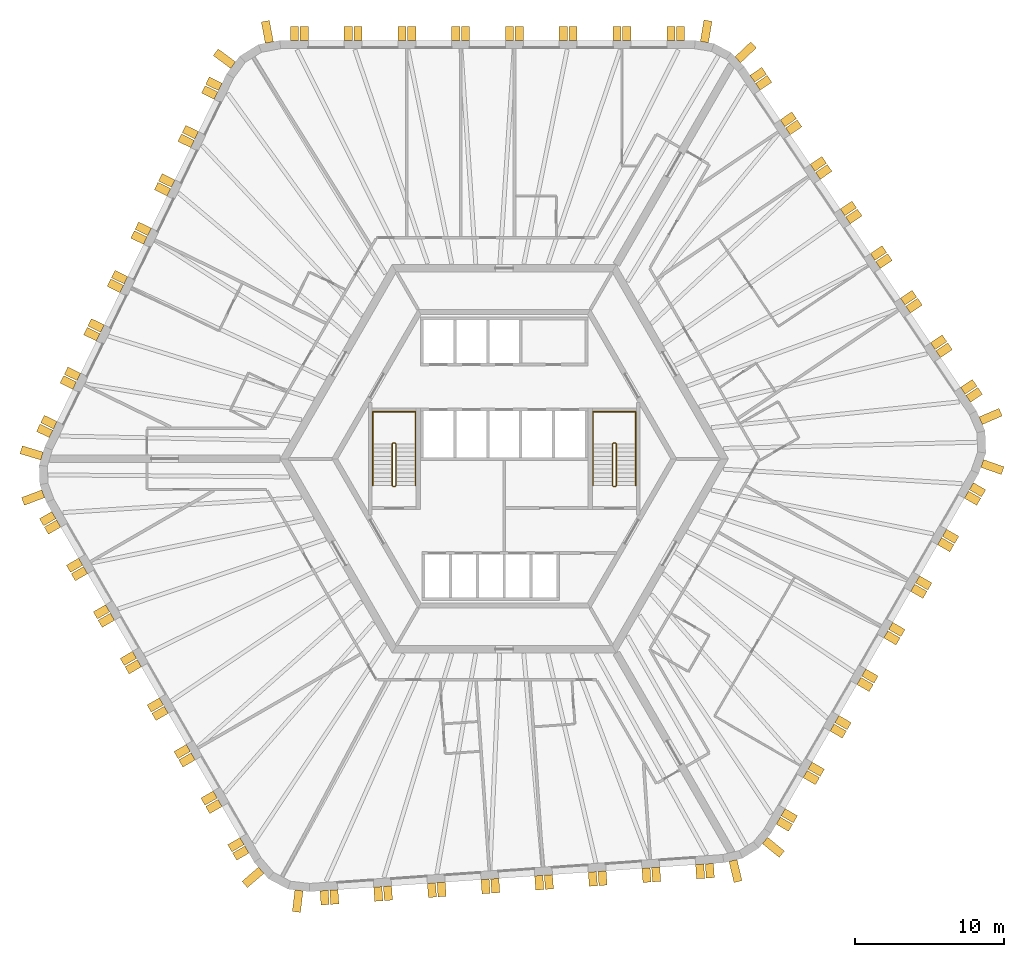
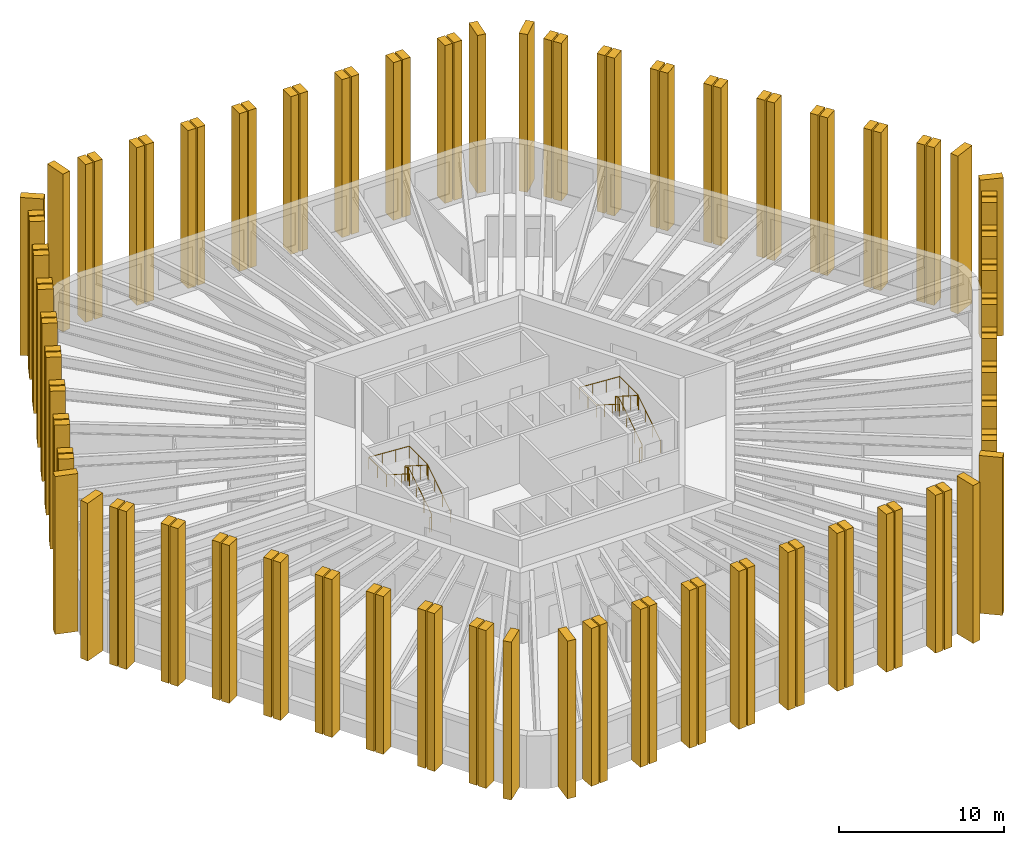
# One storey, part 9 of 9: 108 shading devices, 4 railings.
"""IFC4 building model written with IfcOpenShell, lengths in metres."""

from ifc_helpers import new_model, si_unit, direction, frame, origin, origin_2d, place, context, subcontext, project, spatial, polyline, circle, outline, extrude, material, layer, layer_set, type_object, element, save


model = new_model("IFC4")

# Units and contexts
model_context = context("Model", 3, precision=1e-05, world=origin(), true_north=direction((0.0, 1.0)))
body_context = subcontext(model_context, "Body", "Model", "MODEL_VIEW")
ifc_project = project(units=[si_unit("LENGTHUNIT", "METRE"), si_unit("AREAUNIT", "SQUARE_METRE"), si_unit("VOLUMEUNIT", "CUBIC_METRE"), si_unit("PLANEANGLEUNIT", "RADIAN"), si_unit("MASSUNIT", "GRAM", prefix="KILO")], contexts=[model_context])

# Site, building, storey
site_placement = place(None, origin())
site = spatial("IfcSite", under=ifc_project, at=site_placement, CompositionType="ELEMENT")
building_placement = place(site_placement, origin())
building = spatial("IfcBuilding", under=site, at=building_placement, Name="Tarnside Tower", CompositionType="ELEMENT")
storey_placement = place(building_placement, frame((0.0, 0.0, 215.10009765625)))
storey = spatial("IfcBuildingStorey", under=building, at=storey_placement, Name="L51", CompositionType="ELEMENT", Elevation=215.10009765625)

# Shading devices
ifc_material_1 = material(Name="Concrete C50/60 white precast", Category="concrete")
ifc_layer_1 = layer(ifc_material_1, 0.550048828125)
ifc_layer_set_1 = layer_set([ifc_layer_1], Name="Precast fin 550 x 1450")
shading_device_type_1 = type_object("IfcShadingDeviceType", Name="Precast fin 550 x 1450", PredefinedType="USERDEFINED", material=ifc_layer_set_1)
for number, where, z_axis, x_axis, name in (
    (1, (-15.725341796875, 27.86767578125, -0.150146484375), (0.982720646705, 0.18509492305, 0.0), (-0.18509492305, 0.982720646705, 0.0), "Precast fin"),
    (2, (-18.15380859375, 26.35009765625, -0.150146484375), (0.597158591707, 0.802123192752, 0.0), (-0.802123192752, 0.597158591707, 0.0), "Precast fin"),
    (3, (-30.949951171875, 0.184326171875, -0.150146484375), (0.286803232717, 0.957989512314, 0.0), (-0.957989512314, 0.286803232717, 0.0), "Precast fin"),
    (4, (-30.861572265625, -2.343017578125, -0.150146484375), (-0.352930564719, 0.935649515837, 0.0), (-0.935649515837, -0.352930564719, 0.0), "Precast fin"),
    (5, (-16.271484375, -27.55224609375, -0.150146484375), (-0.651657228826, 0.758513583345, 0.0), (-0.758513583345, -0.651657228826, 0.0), "Precast fin"),
    (6, (-13.7431640625, -28.896728515625, -0.150146484375), (-0.993238357741, 0.116092914131, 0.0), (-0.116092914131, -0.993238357741, 0.0), "Precast fin"),
    (7, (15.315185546875, -26.8955078125, -0.150146484375), (-0.973044870581, -0.230615870737, 0.0), (0.230615870737, -0.973044870581, 0.0), "Precast fin"),
    (8, (17.4599609375, -25.555419921875, -0.150146484375), (-0.633830967394, -0.773471592738, 0.0), (0.773471592738, -0.633830967394, 0.0), "Precast fin"),
    (9, (31.996826171875, -0.315185546875, -0.150146484375), (-0.331063417879, -0.943608506396, 0.0), (0.943608506396, -0.331063417879, 0.0), "Precast fin"),
    (10, (31.896728515625, 2.54638671875, -0.150146484375), (0.396079766034, -0.918216106883, 0.0), (0.918216106883, 0.396079766034, 0.0), "Precast fin"),
    (11, (15.634765625, 26.711181640625, -0.150146484375), (0.686241637865, -0.727373641577, 0.0), (0.727373641577, 0.686241637865, 0.0), "Precast fin"),
    (12, (13.40185546875, 27.8984375, -0.150146484375), (0.986761532114, -0.1621779231, 0.0), (0.1621779231, 0.986761532114, 0.0), "Precast fin"),
):
    element("IfcShadingDevice", number, at=place(storey_placement, frame(where, z_axis=z_axis, x_axis=x_axis)), inside=storey, type_object=shading_device_type_1, Name=name, ObjectType="FIN", PredefinedType="USERDEFINED", context=body_context, shape_type="SweptSolid", body=[
        extrude(outline(polyline([(0.0, 0.0), (1.449951171875, 0.0), (1.449951171875, 11.699951171875), (0.0, 11.699951171875), (0.0, 0.0)])), frame((0.0, 0.0, -0.27490234375)), (0.0, 0.0, 1.0), 0.550048828125),
    ])
ifc_layer_2 = layer(ifc_material_1, 0.550048828125)
ifc_layer_set_2 = layer_set([ifc_layer_2], Name="Precast fin 550 x 950")
shading_device_type_2 = type_object("IfcShadingDeviceType", Name="Precast fin 550 x 950", PredefinedType="USERDEFINED", material=ifc_layer_set_2)
for number, where, z_axis, x_axis, name in (
    (13, (11.80712890625, 28.0, -0.150146484375), (1.0, 0.0, 0.0), (0.0, 1.0, 0.0), "Precast fin"),
    (14, (11.1572265625, 28.0, -0.150146484375), (1.0, 0.0, 0.0), (0.0, 1.0, 0.0), "Precast fin"),
    (15, (8.20703125, 28.0, -0.150146484375), (1.0, 0.0, 0.0), (0.0, 1.0, 0.0), "Precast fin"),
    (16, (7.55712890625, 28.0, -0.150146484375), (1.0, 0.0, 0.0), (0.0, 1.0, 0.0), "Precast fin"),
    (17, (4.607177734375, 28.0, -0.150146484375), (1.0, 0.0, 0.0), (0.0, 1.0, 0.0), "Precast fin"),
    (18, (3.95703125, 28.0, -0.150146484375), (1.0, 0.0, 0.0), (0.0, 1.0, 0.0), "Precast fin"),
    (19, (1.007080078125, 28.0, -0.150146484375), (1.0, 0.0, 0.0), (0.0, 1.0, 0.0), "Precast fin"),
    (20, (0.357177734375, 28.0, -0.150146484375), (1.0, 0.0, 0.0), (0.0, 1.0, 0.0), "Precast fin"),
    (21, (-2.5927734375, 28.0, -0.150146484375), (1.0, 0.0, 0.0), (0.0, 1.0, 0.0), "Precast fin"),
    (22, (-3.242919921875, 28.0, -0.150146484375), (1.0, 0.0, 0.0), (0.0, 1.0, 0.0), "Precast fin"),
    (23, (-6.19287109375, 28.0, -0.150146484375), (1.0, 0.0, 0.0), (0.0, 1.0, 0.0), "Precast fin"),
    (24, (-6.8427734375, 28.0, -0.150146484375), (1.0, 0.0, 0.0), (0.0, 1.0, 0.0), "Precast fin"),
    (25, (-9.79296875, 28.0, -0.150146484375), (1.0, 0.0, 0.0), (0.0, 1.0, 0.0), "Precast fin"),
    (26, (-10.44287109375, 28.0, -0.150146484375), (1.0, 0.0, 0.0), (0.0, 1.0, 0.0), "Precast fin"),
    (27, (-13.392822265625, 28.0, -0.150146484375), (1.0, 0.0, 0.0), (0.0, 1.0, 0.0), "Precast fin"),
    (28, (-14.04296875, 28.0, -0.150146484375), (1.0, 0.0, 0.0), (0.0, 1.0, 0.0), "Precast fin"),
    (29, (-19.01025390625, 24.896240234375, -0.150146484375), (0.438371146789, 0.898794046299, 0.0), (-0.898794046299, 0.438371146789, 0.0), "Precast fin"),
    (30, (-19.295166015625, 24.31201171875, -0.150146484375), (0.438371146789, 0.898794046299, 0.0), (-0.898794046299, 0.438371146789, 0.0), "Precast fin"),
    (31, (-20.58837890625, 21.660400390625, -0.150146484375), (0.438371146789, 0.898794046299, 0.0), (-0.898794046299, 0.438371146789, 0.0), "Precast fin"),
    (32, (-20.873291015625, 21.076171875, -0.150146484375), (0.438371146789, 0.898794046299, 0.0), (-0.898794046299, 0.438371146789, 0.0), "Precast fin"),
    (33, (-22.16650390625, 18.4248046875, -0.150146484375), (0.438371146789, 0.898794046299, 0.0), (-0.898794046299, 0.438371146789, 0.0), "Precast fin"),
    (34, (-22.451416015625, 17.840576171875, -0.150146484375), (0.438371146789, 0.898794046299, 0.0), (-0.898794046299, 0.438371146789, 0.0), "Precast fin"),
    (35, (-23.74462890625, 15.189208984375, -0.150146484375), (0.438371146789, 0.898794046299, 0.0), (-0.898794046299, 0.438371146789, 0.0), "Precast fin"),
    (36, (-24.029541015625, 14.60498046875, -0.150146484375), (0.438371146789, 0.898794046299, 0.0), (-0.898794046299, 0.438371146789, 0.0), "Precast fin"),
    (37, (-25.32275390625, 11.953369140625, -0.150146484375), (0.438371146789, 0.898794046299, 0.0), (-0.898794046299, 0.438371146789, 0.0), "Precast fin"),
    (38, (-25.607666015625, 11.369384765625, -0.150146484375), (0.438371146789, 0.898794046299, 0.0), (-0.898794046299, 0.438371146789, 0.0), "Precast fin"),
    (39, (-26.90087890625, 8.7177734375, -0.150146484375), (0.438371146789, 0.898794046299, 0.0), (-0.898794046299, 0.438371146789, 0.0), "Precast fin"),
    (40, (-27.185791015625, 8.133544921875, -0.150146484375), (0.438371146789, 0.898794046299, 0.0), (-0.898794046299, 0.438371146789, 0.0), "Precast fin"),
    (41, (-28.47900390625, 5.482177734375, -0.150146484375), (0.438371146789, 0.898794046299, 0.0), (-0.898794046299, 0.438371146789, 0.0), "Precast fin"),
    (42, (-28.763916015625, 4.89794921875, -0.150146484375), (0.438371146789, 0.898794046299, 0.0), (-0.898794046299, 0.438371146789, 0.0), "Precast fin"),
    (43, (-30.05712890625, 2.24658203125, -0.150146484375), (0.438371146789, 0.898794046299, 0.0), (-0.898794046299, 0.438371146789, 0.0), "Precast fin"),
    (44, (-30.342041015625, 1.662353515625, -0.150146484375), (0.438371146789, 0.898794046299, 0.0), (-0.898794046299, 0.438371146789, 0.0), "Precast fin"),
    (45, (-30.15234375, -3.774658203125, -0.150146484375), (-0.5, 0.866025403784, 0.0), (-0.866025403784, -0.5, 0.0), "Precast fin"),
    (46, (-29.827392578125, -4.337646484375, -0.150146484375), (-0.5, 0.866025403784, 0.0), (-0.866025403784, -0.5, 0.0), "Precast fin"),
    (47, (-28.352294921875, -6.892333984375, -0.150146484375), (-0.5, 0.866025403784, 0.0), (-0.866025403784, -0.5, 0.0), "Precast fin"),
    (48, (-28.02734375, -7.455322265625, -0.150146484375), (-0.5, 0.866025403784, 0.0), (-0.866025403784, -0.5, 0.0), "Precast fin"),
    (49, (-26.55224609375, -10.010009765625, -0.150146484375), (-0.5, 0.866025403784, 0.0), (-0.866025403784, -0.5, 0.0), "Precast fin"),
    (50, (-26.227294921875, -10.572998046875, -0.150146484375), (-0.5, 0.866025403784, 0.0), (-0.866025403784, -0.5, 0.0), "Precast fin"),
    (51, (-24.752197265625, -13.127685546875, -0.150146484375), (-0.5, 0.866025403784, 0.0), (-0.866025403784, -0.5, 0.0), "Precast fin"),
    (52, (-24.42724609375, -13.690673828125, -0.150146484375), (-0.5, 0.866025403784, 0.0), (-0.866025403784, -0.5, 0.0), "Precast fin"),
    (53, (-22.952392578125, -16.24560546875, -0.150146484375), (-0.5, 0.866025403784, 0.0), (-0.866025403784, -0.5, 0.0), "Precast fin"),
    (54, (-22.627197265625, -16.808349609375, -0.150146484375), (-0.5, 0.866025403784, 0.0), (-0.866025403784, -0.5, 0.0), "Precast fin"),
    (55, (-21.15234375, -19.36328125, -0.150146484375), (-0.5, 0.866025403784, 0.0), (-0.866025403784, -0.5, 0.0), "Precast fin"),
    (56, (-20.827392578125, -19.926025390625, -0.150146484375), (-0.5, 0.866025403784, 0.0), (-0.866025403784, -0.5, 0.0), "Precast fin"),
    (57, (-19.352294921875, -22.48095703125, -0.150146484375), (-0.5, 0.866025403784, 0.0), (-0.866025403784, -0.5, 0.0), "Precast fin"),
    (58, (-19.02734375, -23.043701171875, -0.150146484375), (-0.5, 0.866025403784, 0.0), (-0.866025403784, -0.5, 0.0), "Precast fin"),
    (59, (-17.55224609375, -25.5986328125, -0.150146484375), (-0.5, 0.866025403784, 0.0), (-0.866025403784, -0.5, 0.0), "Precast fin"),
    (60, (-17.227294921875, -26.161376953125, -0.150146484375), (-0.5, 0.866025403784, 0.0), (-0.866025403784, -0.5, 0.0), "Precast fin"),
    (61, (-12.0556640625, -28.911376953125, -0.150146484375), (-0.99756405026, -0.069756473744, 0.0), (0.069756473744, -0.99756405026, 0.0), "Precast fin"),
    (62, (-11.4072265625, -28.865966796875, -0.150146484375), (-0.99756405026, -0.069756473744, 0.0), (0.069756473744, -0.99756405026, 0.0), "Precast fin"),
    (63, (-8.46435546875, -28.66015625, -0.150146484375), (-0.99756405026, -0.069756473744, 0.0), (0.069756473744, -0.99756405026, 0.0), "Precast fin"),
    (64, (-7.81591796875, -28.614990234375, -0.150146484375), (-0.99756405026, -0.069756473744, 0.0), (0.069756473744, -0.99756405026, 0.0), "Precast fin"),
    (65, (-4.873046875, -28.4091796875, -0.150146484375), (-0.99756405026, -0.069756473744, 0.0), (0.069756473744, -0.99756405026, 0.0), "Precast fin"),
    (66, (-4.224609375, -28.36376953125, -0.150146484375), (-0.99756405026, -0.069756473744, 0.0), (0.069756473744, -0.99756405026, 0.0), "Precast fin"),
    (67, (-1.281982421875, -28.157958984375, -0.150146484375), (-0.99756405026, -0.069756473744, 0.0), (0.069756473744, -0.99756405026, 0.0), "Precast fin"),
    (68, (-0.633544921875, -28.112548828125, -0.150146484375), (-0.99756405026, -0.069756473744, 0.0), (0.069756473744, -0.99756405026, 0.0), "Precast fin"),
    (69, (2.309326171875, -27.906982421875, -0.150146484375), (-0.99756405026, -0.069756473744, 0.0), (0.069756473744, -0.99756405026, 0.0), "Precast fin"),
    (70, (2.957763671875, -27.861572265625, -0.150146484375), (-0.99756405026, -0.069756473744, 0.0), (0.069756473744, -0.99756405026, 0.0), "Precast fin"),
    (71, (5.900634765625, -27.65576171875, -0.150146484375), (-0.99756405026, -0.069756473744, 0.0), (0.069756473744, -0.99756405026, 0.0), "Precast fin"),
    (72, (6.549072265625, -27.6103515625, -0.150146484375), (-0.99756405026, -0.069756473744, 0.0), (0.069756473744, -0.99756405026, 0.0), "Precast fin"),
    (73, (9.49169921875, -27.404541015625, -0.150146484375), (-0.99756405026, -0.069756473744, 0.0), (0.069756473744, -0.99756405026, 0.0), "Precast fin"),
    (74, (10.14013671875, -27.359375, -0.150146484375), (-0.99756405026, -0.069756473744, 0.0), (0.069756473744, -0.99756405026, 0.0), "Precast fin"),
    (75, (13.0830078125, -27.153564453125, -0.150146484375), (-0.99756405026, -0.069756473744, 0.0), (0.069756473744, -0.99756405026, 0.0), "Precast fin"),
    (76, (13.7314453125, -27.108154296875, -0.150146484375), (-0.99756405026, -0.069756473744, 0.0), (0.069756473744, -0.99756405026, 0.0), "Precast fin"),
    (77, (18.34521484375, -24.225341796875, -0.150146484375), (-0.5, -0.866025403784, 0.0), (0.866025403784, -0.5, 0.0), "Precast fin"),
    (78, (18.670166015625, -23.662353515625, -0.150146484375), (-0.5, -0.866025403784, 0.0), (0.866025403784, -0.5, 0.0), "Precast fin"),
    (79, (20.145263671875, -21.107666015625, -0.150146484375), (-0.5, -0.866025403784, 0.0), (0.866025403784, -0.5, 0.0), "Precast fin"),
    (80, (20.47021484375, -20.544677734375, -0.150146484375), (-0.5, -0.866025403784, 0.0), (0.866025403784, -0.5, 0.0), "Precast fin"),
    (81, (21.945068359375, -17.989990234375, -0.150146484375), (-0.5, -0.866025403784, 0.0), (0.866025403784, -0.5, 0.0), "Precast fin"),
    (82, (22.270263671875, -17.427001953125, -0.150146484375), (-0.5, -0.866025403784, 0.0), (0.866025403784, -0.5, 0.0), "Precast fin"),
    (83, (23.7451171875, -14.872314453125, -0.150146484375), (-0.5, -0.866025403784, 0.0), (0.866025403784, -0.5, 0.0), "Precast fin"),
    (84, (24.070068359375, -14.309326171875, -0.150146484375), (-0.5, -0.866025403784, 0.0), (0.866025403784, -0.5, 0.0), "Precast fin"),
    (85, (25.545166015625, -11.75439453125, -0.150146484375), (-0.5, -0.866025403784, 0.0), (0.866025403784, -0.5, 0.0), "Precast fin"),
    (86, (25.8701171875, -11.191650390625, -0.150146484375), (-0.5, -0.866025403784, 0.0), (0.866025403784, -0.5, 0.0), "Precast fin"),
    (87, (27.34521484375, -8.63671875, -0.150146484375), (-0.5, -0.866025403784, 0.0), (0.866025403784, -0.5, 0.0), "Precast fin"),
    (88, (27.670166015625, -8.073974609375, -0.150146484375), (-0.5, -0.866025403784, 0.0), (0.866025403784, -0.5, 0.0), "Precast fin"),
    (89, (29.145263671875, -5.51904296875, -0.150146484375), (-0.5, -0.866025403784, 0.0), (0.866025403784, -0.5, 0.0), "Precast fin"),
    (90, (29.47021484375, -4.956298828125, -0.150146484375), (-0.5, -0.866025403784, 0.0), (0.866025403784, -0.5, 0.0), "Precast fin"),
    (91, (30.945068359375, -2.4013671875, -0.150146484375), (-0.5, -0.866025403784, 0.0), (0.866025403784, -0.5, 0.0), "Precast fin"),
    (92, (31.270263671875, -1.838623046875, -0.150146484375), (-0.5, -0.866025403784, 0.0), (0.866025403784, -0.5, 0.0), "Precast fin"),
    (93, (31.065673828125, 4.01513671875, -0.150146484375), (0.559192903471, -0.829037572555, 0.0), (0.829037572555, 0.559192903471, 0.0), "Precast fin"),
    (94, (30.702392578125, 4.55419921875, -0.150146484375), (0.559192903471, -0.829037572555, 0.0), (0.829037572555, 0.559192903471, 0.0), "Precast fin"),
    (95, (29.052734375, 6.999755859375, -0.150146484375), (0.559192903471, -0.829037572555, 0.0), (0.829037572555, 0.559192903471, 0.0), "Precast fin"),
    (96, (28.689208984375, 7.53857421875, -0.150146484375), (0.559192903471, -0.829037572555, 0.0), (0.829037572555, 0.559192903471, 0.0), "Precast fin"),
    (97, (27.03955078125, 9.984375, -0.150146484375), (0.559192903471, -0.829037572555, 0.0), (0.829037572555, 0.559192903471, 0.0), "Precast fin"),
    (98, (26.676025390625, 10.523193359375, -0.150146484375), (0.559192903471, -0.829037572555, 0.0), (0.829037572555, 0.559192903471, 0.0), "Precast fin"),
    (99, (25.026611328125, 12.96875, -0.150146484375), (0.559192903471, -0.829037572555, 0.0), (0.829037572555, 0.559192903471, 0.0), "Precast fin"),
    (100, (24.6630859375, 13.5078125, -0.150146484375), (0.559192903471, -0.829037572555, 0.0), (0.829037572555, 0.559192903471, 0.0), "Precast fin"),
    (101, (23.013427734375, 15.953369140625, -0.150146484375), (0.559192903471, -0.829037572555, 0.0), (0.829037572555, 0.559192903471, 0.0), "Precast fin"),
    (102, (22.64990234375, 16.4921875, -0.150146484375), (0.559192903471, -0.829037572555, 0.0), (0.829037572555, 0.559192903471, 0.0), "Precast fin"),
    (103, (21.000244140625, 18.93798828125, -0.150146484375), (0.559192903471, -0.829037572555, 0.0), (0.829037572555, 0.559192903471, 0.0), "Precast fin"),
    (104, (20.63671875, 19.476806640625, -0.150146484375), (0.559192903471, -0.829037572555, 0.0), (0.829037572555, 0.559192903471, 0.0), "Precast fin"),
    (105, (18.9873046875, 21.92236328125, -0.150146484375), (0.559192903471, -0.829037572555, 0.0), (0.829037572555, 0.559192903471, 0.0), "Precast fin"),
    (106, (18.623779296875, 22.46142578125, -0.150146484375), (0.559192903471, -0.829037572555, 0.0), (0.829037572555, 0.559192903471, 0.0), "Precast fin"),
    (107, (16.97412109375, 24.906982421875, -0.150146484375), (0.559192903471, -0.829037572555, 0.0), (0.829037572555, 0.559192903471, 0.0), "Precast fin"),
    (108, (16.610595703125, 25.44580078125, -0.150146484375), (0.559192903471, -0.829037572555, 0.0), (0.829037572555, 0.559192903471, 0.0), "Precast fin"),
):
    element("IfcShadingDevice", number, at=place(storey_placement, frame(where, z_axis=z_axis, x_axis=x_axis)), inside=storey, type_object=shading_device_type_2, Name=name, ObjectType="FIN", PredefinedType="USERDEFINED", context=body_context, shape_type="SweptSolid", body=[
        extrude(outline(polyline([(0.0, 0.0), (0.949951171875, 0.0), (0.949951171875, 11.699951171875), (0.0, 11.699951171875), (0.0, 0.0)])), frame((0.0, 0.0, -0.27490234375)), (0.0, 0.0, 1.0), 0.550048828125),
    ])

# Railings
ifc_material_2 = material(Name="Stainless steel", Category="steel")
railing_type_1 = type_object("IfcRailingType", Name="Stair guard 1100", PredefinedType="GUARDRAIL", material=ifc_material_2)
railing_1_placement = place(storey_placement, frame((7.300048828125, -1.85009765625, 0.0)))
element("IfcRailing", 109, at=railing_1_placement, inside=storey, type_object=railing_type_1, Name="L51 ST1 stair guard 1", PredefinedType="GUARDRAIL", context=body_context, shape_type="SweptSolid", body=[
    extrude(circle(Radius=0.02392578125, at=origin_2d()), frame((0.0, 0.0, 1.076171875), z_axis=(1.0, 0.0, 0.0), x_axis=(0.0, 1.0, 0.0)), (0.0, 0.0, 1.0), 0.14990234375),
    extrude(circle(Radius=0.02392578125, at=origin_2d()), frame((0.14990234375, 0.0, 1.076171875), z_axis=(0.262233686654, 0.262233686654, 0.928691007369), x_axis=(-0.707106781187, 0.707106781187, 0.0)), (0.0, 0.0, 1.0), 0.19091796875),
    extrude(circle(Radius=0.02392578125, at=origin_2d()), frame((0.199951171875, 0.050048828125, 1.25341796875), z_axis=(0.0, 0.844908973607, 0.534910110503), x_axis=(-1.0, 0.0, 0.0)), (0.0, 0.0, 1.0), 3.31396484375),
    extrude(circle(Radius=0.02392578125, at=origin_2d()), frame((0.199951171875, 2.85009765625, 3.02587890625), z_axis=(-0.707106781187, 0.707106781187, 0.0), x_axis=(-0.707106781187, -0.707106781187, 0.0)), (0.0, 0.0, 1.0), 0.07080078125),
    extrude(circle(Radius=0.02392578125, at=origin_2d()), frame((0.14990234375, 2.900146484375, 3.02587890625), z_axis=(-1.0, 0.0, 0.0), x_axis=(0.0, -1.0, 0.0)), (0.0, 0.0, 1.0), 0.14990234375),
    extrude(circle(Radius=0.02392578125, at=origin_2d()), frame((0.0, 2.900146484375, 3.02587890625), z_axis=(-0.262233686654, -0.262233686654, 0.928691007369), x_axis=(0.707106781187, -0.707106781187, 0.0)), (0.0, 0.0, 1.0), 0.19091796875),
    extrude(circle(Radius=0.02392578125, at=origin_2d()), frame((-0.050048828125, 2.85009765625, 3.203125), z_axis=(0.0, -0.844908973607, 0.534910110503), x_axis=(1.0, 0.0, 0.0)), (0.0, 0.0, 1.0), 3.31396484375),
    extrude(circle(Radius=0.02099609375, at=origin_2d()), origin(), (0.0, 0.0, 1.0), 1.052001953125),
    extrude(circle(Radius=0.02099609375, at=origin_2d()), frame((0.14990234375, 0.0, 0.0)), (0.0, 0.0, 1.0), 1.052001953125),
    extrude(circle(Radius=0.02099609375, at=origin_2d()), frame((0.199951171875, 0.050048828125, 0.17724609375)), (0.0, 0.0, 1.0), 1.052001953125),
    extrude(circle(Radius=0.02099609375, at=origin_2d()), frame((0.199951171875, 0.9833984375, 0.76806640625)), (0.0, 0.0, 1.0), 1.052001953125),
    extrude(circle(Radius=0.02099609375, at=origin_2d()), frame((0.199951171875, 1.916748046875, 1.359130859375)), (0.0, 0.0, 1.0), 1.052001953125),
    extrude(circle(Radius=0.02099609375, at=origin_2d()), frame((0.199951171875, 2.85009765625, 1.949951171875)), (0.0, 0.0, 1.0), 1.052001953125),
    extrude(circle(Radius=0.02099609375, at=origin_2d()), frame((0.14990234375, 2.900146484375, 1.949951171875)), (0.0, 0.0, 1.0), 1.052001953125),
    extrude(circle(Radius=0.02099609375, at=origin_2d()), frame((0.0, 2.900146484375, 1.949951171875)), (0.0, 0.0, 1.0), 1.052001953125),
    extrude(circle(Radius=0.02099609375, at=origin_2d()), frame((-0.050048828125, 2.85009765625, 2.127197265625)), (0.0, 0.0, 1.0), 1.052001953125),
    extrude(circle(Radius=0.02099609375, at=origin_2d()), frame((-0.050048828125, 1.916748046875, 2.718017578125)), (0.0, 0.0, 1.0), 1.052001953125),
    extrude(circle(Radius=0.02099609375, at=origin_2d()), frame((-0.050048828125, 0.9833984375, 3.30908203125)), (0.0, 0.0, 1.0), 1.052001953125),
    extrude(circle(Radius=0.02099609375, at=origin_2d()), frame((-0.050048828125, 0.050048828125, 3.89990234375)), (0.0, 0.0, 1.0), 1.052001953125),
])
railing_2_placement = place(storey_placement, frame((-7.449951171875, -1.85009765625, 0.0)))
element("IfcRailing", 110, at=railing_2_placement, inside=storey, type_object=railing_type_1, Name="L51 ST2 stair guard 1", PredefinedType="GUARDRAIL", context=body_context, shape_type="SweptSolid", body=[
    extrude(circle(Radius=0.02392578125, at=origin_2d()), frame((0.0, 0.0, 1.076171875), z_axis=(1.0, 0.0, 0.0), x_axis=(0.0, 1.0, 0.0)), (0.0, 0.0, 1.0), 0.14990234375),
    extrude(circle(Radius=0.02392578125, at=origin_2d()), frame((0.14990234375, 0.0, 1.076171875), z_axis=(0.262233686654, 0.262233686654, 0.928691007369), x_axis=(-0.707106781187, 0.707106781187, 0.0)), (0.0, 0.0, 1.0), 0.19091796875),
    extrude(circle(Radius=0.02392578125, at=origin_2d()), frame((0.199951171875, 0.050048828125, 1.25341796875), z_axis=(0.0, 0.844908973607, 0.534910110503), x_axis=(-1.0, 0.0, 0.0)), (0.0, 0.0, 1.0), 3.31396484375),
    extrude(circle(Radius=0.02392578125, at=origin_2d()), frame((0.199951171875, 2.85009765625, 3.02587890625), z_axis=(-0.707106781187, 0.707106781187, 0.0), x_axis=(-0.707106781187, -0.707106781187, 0.0)), (0.0, 0.0, 1.0), 0.07080078125),
    extrude(circle(Radius=0.02392578125, at=origin_2d()), frame((0.14990234375, 2.900146484375, 3.02587890625), z_axis=(-1.0, 0.0, 0.0), x_axis=(0.0, -1.0, 0.0)), (0.0, 0.0, 1.0), 0.14990234375),
    extrude(circle(Radius=0.02392578125, at=origin_2d()), frame((0.0, 2.900146484375, 3.02587890625), z_axis=(-0.262233686654, -0.262233686654, 0.928691007369), x_axis=(0.707106781187, -0.707106781187, 0.0)), (0.0, 0.0, 1.0), 0.19091796875),
    extrude(circle(Radius=0.02392578125, at=origin_2d()), frame((-0.050048828125, 2.85009765625, 3.203125), z_axis=(0.0, -0.844908973607, 0.534910110503), x_axis=(1.0, 0.0, 0.0)), (0.0, 0.0, 1.0), 3.31396484375),
    extrude(circle(Radius=0.02099609375, at=origin_2d()), origin(), (0.0, 0.0, 1.0), 1.052001953125),
    extrude(circle(Radius=0.02099609375, at=origin_2d()), frame((0.14990234375, 0.0, 0.0)), (0.0, 0.0, 1.0), 1.052001953125),
    extrude(circle(Radius=0.02099609375, at=origin_2d()), frame((0.199951171875, 0.050048828125, 0.17724609375)), (0.0, 0.0, 1.0), 1.052001953125),
    extrude(circle(Radius=0.02099609375, at=origin_2d()), frame((0.199951171875, 0.9833984375, 0.76806640625)), (0.0, 0.0, 1.0), 1.052001953125),
    extrude(circle(Radius=0.02099609375, at=origin_2d()), frame((0.199951171875, 1.916748046875, 1.359130859375)), (0.0, 0.0, 1.0), 1.052001953125),
    extrude(circle(Radius=0.02099609375, at=origin_2d()), frame((0.199951171875, 2.85009765625, 1.949951171875)), (0.0, 0.0, 1.0), 1.052001953125),
    extrude(circle(Radius=0.02099609375, at=origin_2d()), frame((0.14990234375, 2.900146484375, 1.949951171875)), (0.0, 0.0, 1.0), 1.052001953125),
    extrude(circle(Radius=0.02099609375, at=origin_2d()), frame((0.0, 2.900146484375, 1.949951171875)), (0.0, 0.0, 1.0), 1.052001953125),
    extrude(circle(Radius=0.02099609375, at=origin_2d()), frame((-0.050048828125, 2.85009765625, 2.127197265625)), (0.0, 0.0, 1.0), 1.052001953125),
    extrude(circle(Radius=0.02099609375, at=origin_2d()), frame((-0.050048828125, 1.916748046875, 2.718017578125)), (0.0, 0.0, 1.0), 1.052001953125),
    extrude(circle(Radius=0.02099609375, at=origin_2d()), frame((-0.050048828125, 0.9833984375, 3.30908203125)), (0.0, 0.0, 1.0), 1.052001953125),
    extrude(circle(Radius=0.02099609375, at=origin_2d()), frame((-0.050048828125, 0.050048828125, 3.89990234375)), (0.0, 0.0, 1.0), 1.052001953125),
])
railing_type_2 = type_object("IfcRailingType", Name="Stair handrail 900", PredefinedType="HANDRAIL", material=ifc_material_2)
railing_3_placement = place(storey_placement, frame((8.800048828125, -1.800048828125, 0.17724609375)))
element("IfcRailing", 111, at=railing_3_placement, inside=storey, type_object=railing_type_2, Name="L51 ST1 stair handrail 1", PredefinedType="HANDRAIL", context=body_context, shape_type="SweptSolid", body=[
    extrude(circle(Radius=0.02392578125, at=origin_2d()), frame((0.0, 0.0, 0.8857421875), z_axis=(0.0, 0.844908973607, 0.534910110503), x_axis=(-1.0, 0.0, 0.0)), (0.0, 0.0, 1.0), 3.31396484375),
    extrude(circle(Radius=0.02392578125, at=origin_2d()), frame((0.0, 2.800048828125, 2.65869140625), z_axis=(0.0, 1.0, 0.0), x_axis=(-1.0, 0.0, 0.0)), (0.0, 0.0, 1.0), 2.14990234375),
    extrude(circle(Radius=0.02392578125, at=origin_2d()), frame((0.0, 4.949951171875, 2.65869140625), z_axis=(-0.998071825391, 0.0, 0.06206956872), x_axis=(0.0, -1.0, 0.0)), (0.0, 0.0, 1.0), 2.855712890625),
    extrude(circle(Radius=0.02392578125, at=origin_2d()), frame((-2.85009765625, 4.949951171875, 2.8359375), z_axis=(0.0, -1.0, 0.0), x_axis=(1.0, 0.0, 0.0)), (0.0, 0.0, 1.0), 2.14990234375),
    extrude(circle(Radius=0.02392578125, at=origin_2d()), frame((-2.85009765625, 2.800048828125, 2.8359375), z_axis=(0.0, -0.844908973607, 0.534910110503), x_axis=(1.0, 0.0, 0.0)), (0.0, 0.0, 1.0), 3.31396484375),
    extrude(circle(Radius=0.02099609375, at=origin_2d()), origin(), (0.0, 0.0, 1.0), 0.86181640625),
    extrude(circle(Radius=0.02099609375, at=origin_2d()), frame((0.0, 0.933349609375, 0.5908203125)), (0.0, 0.0, 1.0), 0.86181640625),
    extrude(circle(Radius=0.02099609375, at=origin_2d()), frame((0.0, 1.86669921875, 1.181884765625)), (0.0, 0.0, 1.0), 0.86181640625),
    extrude(circle(Radius=0.02099609375, at=origin_2d()), frame((0.0, 2.800048828125, 1.772705078125)), (0.0, 0.0, 1.0), 0.86181640625),
    extrude(circle(Radius=0.02099609375, at=origin_2d()), frame((0.0, 3.875, 1.772705078125)), (0.0, 0.0, 1.0), 0.86181640625),
    extrude(circle(Radius=0.02099609375, at=origin_2d()), frame((0.0, 4.949951171875, 1.772705078125)), (0.0, 0.0, 1.0), 0.86181640625),
    extrude(circle(Radius=0.02099609375, at=origin_2d()), frame((-0.949951171875, 4.949951171875, 1.831787109375)), (0.0, 0.0, 1.0), 0.86181640625),
    extrude(circle(Radius=0.02099609375, at=origin_2d()), frame((-1.900146484375, 4.949951171875, 1.890869140625)), (0.0, 0.0, 1.0), 0.86181640625),
    extrude(circle(Radius=0.02099609375, at=origin_2d()), frame((-2.85009765625, 4.949951171875, 1.949951171875)), (0.0, 0.0, 1.0), 0.86181640625),
    extrude(circle(Radius=0.02099609375, at=origin_2d()), frame((-2.85009765625, 3.875, 1.949951171875)), (0.0, 0.0, 1.0), 0.86181640625),
    extrude(circle(Radius=0.02099609375, at=origin_2d()), frame((-2.85009765625, 2.800048828125, 1.949951171875)), (0.0, 0.0, 1.0), 0.86181640625),
    extrude(circle(Radius=0.02099609375, at=origin_2d()), frame((-2.85009765625, 1.86669921875, 2.540771484375)), (0.0, 0.0, 1.0), 0.86181640625),
    extrude(circle(Radius=0.02099609375, at=origin_2d()), frame((-2.85009765625, 0.933349609375, 3.1318359375)), (0.0, 0.0, 1.0), 0.86181640625),
    extrude(circle(Radius=0.02099609375, at=origin_2d()), frame((-2.85009765625, 0.0, 3.72265625)), (0.0, 0.0, 1.0), 0.86181640625),
])
railing_4_placement = place(storey_placement, frame((-5.949951171875, -1.800048828125, 0.17724609375)))
element("IfcRailing", 112, at=railing_4_placement, inside=storey, type_object=railing_type_2, Name="L51 ST2 stair handrail 1", PredefinedType="HANDRAIL", context=body_context, shape_type="SweptSolid", body=[
    extrude(circle(Radius=0.02392578125, at=origin_2d()), frame((0.0, 0.0, 0.8857421875), z_axis=(0.0, 0.844908973607, 0.534910110503), x_axis=(-1.0, 0.0, 0.0)), (0.0, 0.0, 1.0), 3.31396484375),
    extrude(circle(Radius=0.02392578125, at=origin_2d()), frame((0.0, 2.800048828125, 2.65869140625), z_axis=(0.0, 1.0, 0.0), x_axis=(-1.0, 0.0, 0.0)), (0.0, 0.0, 1.0), 2.14990234375),
    extrude(circle(Radius=0.02392578125, at=origin_2d()), frame((0.0, 4.949951171875, 2.65869140625), z_axis=(-0.998071825391, 0.0, 0.06206956872), x_axis=(0.0, -1.0, 0.0)), (0.0, 0.0, 1.0), 2.855712890625),
    extrude(circle(Radius=0.02392578125, at=origin_2d()), frame((-2.85009765625, 4.949951171875, 2.8359375), z_axis=(0.0, -1.0, 0.0), x_axis=(1.0, 0.0, 0.0)), (0.0, 0.0, 1.0), 2.14990234375),
    extrude(circle(Radius=0.02392578125, at=origin_2d()), frame((-2.85009765625, 2.800048828125, 2.8359375), z_axis=(0.0, -0.844908973607, 0.534910110503), x_axis=(1.0, 0.0, 0.0)), (0.0, 0.0, 1.0), 3.31396484375),
    extrude(circle(Radius=0.02099609375, at=origin_2d()), origin(), (0.0, 0.0, 1.0), 0.86181640625),
    extrude(circle(Radius=0.02099609375, at=origin_2d()), frame((0.0, 0.933349609375, 0.5908203125)), (0.0, 0.0, 1.0), 0.86181640625),
    extrude(circle(Radius=0.02099609375, at=origin_2d()), frame((0.0, 1.86669921875, 1.181884765625)), (0.0, 0.0, 1.0), 0.86181640625),
    extrude(circle(Radius=0.02099609375, at=origin_2d()), frame((0.0, 2.800048828125, 1.772705078125)), (0.0, 0.0, 1.0), 0.86181640625),
    extrude(circle(Radius=0.02099609375, at=origin_2d()), frame((0.0, 3.875, 1.772705078125)), (0.0, 0.0, 1.0), 0.86181640625),
    extrude(circle(Radius=0.02099609375, at=origin_2d()), frame((0.0, 4.949951171875, 1.772705078125)), (0.0, 0.0, 1.0), 0.86181640625),
    extrude(circle(Radius=0.02099609375, at=origin_2d()), frame((-0.949951171875, 4.949951171875, 1.831787109375)), (0.0, 0.0, 1.0), 0.86181640625),
    extrude(circle(Radius=0.02099609375, at=origin_2d()), frame((-1.900146484375, 4.949951171875, 1.890869140625)), (0.0, 0.0, 1.0), 0.86181640625),
    extrude(circle(Radius=0.02099609375, at=origin_2d()), frame((-2.85009765625, 4.949951171875, 1.949951171875)), (0.0, 0.0, 1.0), 0.86181640625),
    extrude(circle(Radius=0.02099609375, at=origin_2d()), frame((-2.85009765625, 3.875, 1.949951171875)), (0.0, 0.0, 1.0), 0.86181640625),
    extrude(circle(Radius=0.02099609375, at=origin_2d()), frame((-2.85009765625, 2.800048828125, 1.949951171875)), (0.0, 0.0, 1.0), 0.86181640625),
    extrude(circle(Radius=0.02099609375, at=origin_2d()), frame((-2.85009765625, 1.86669921875, 2.540771484375)), (0.0, 0.0, 1.0), 0.86181640625),
    extrude(circle(Radius=0.02099609375, at=origin_2d()), frame((-2.85009765625, 0.933349609375, 3.1318359375)), (0.0, 0.0, 1.0), 0.86181640625),
    extrude(circle(Radius=0.02099609375, at=origin_2d()), frame((-2.85009765625, 0.0, 3.72265625)), (0.0, 0.0, 1.0), 0.86181640625),
])

save(model, "model.ifc")
